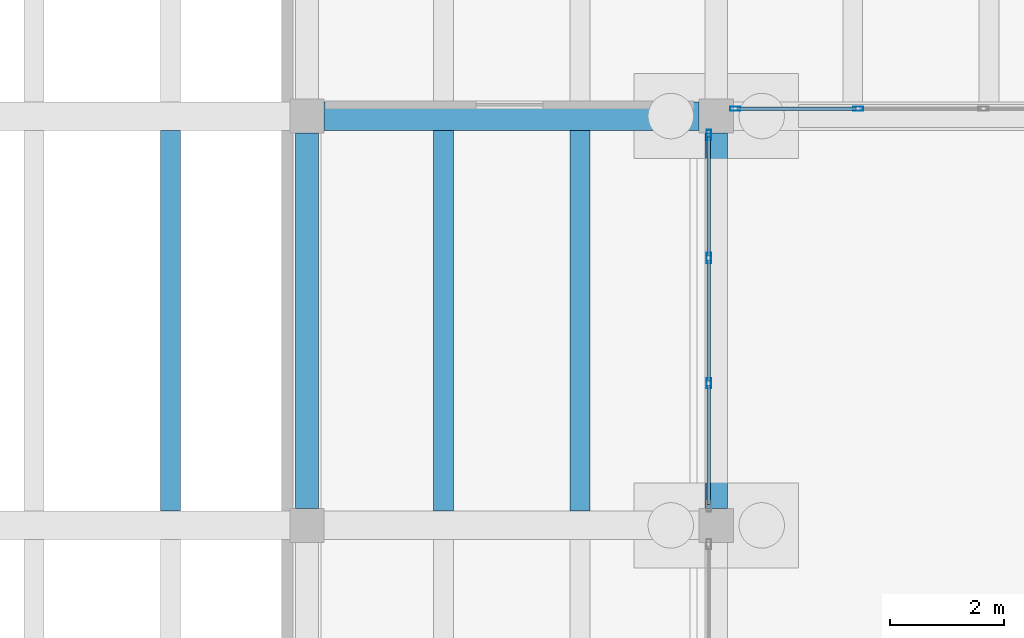
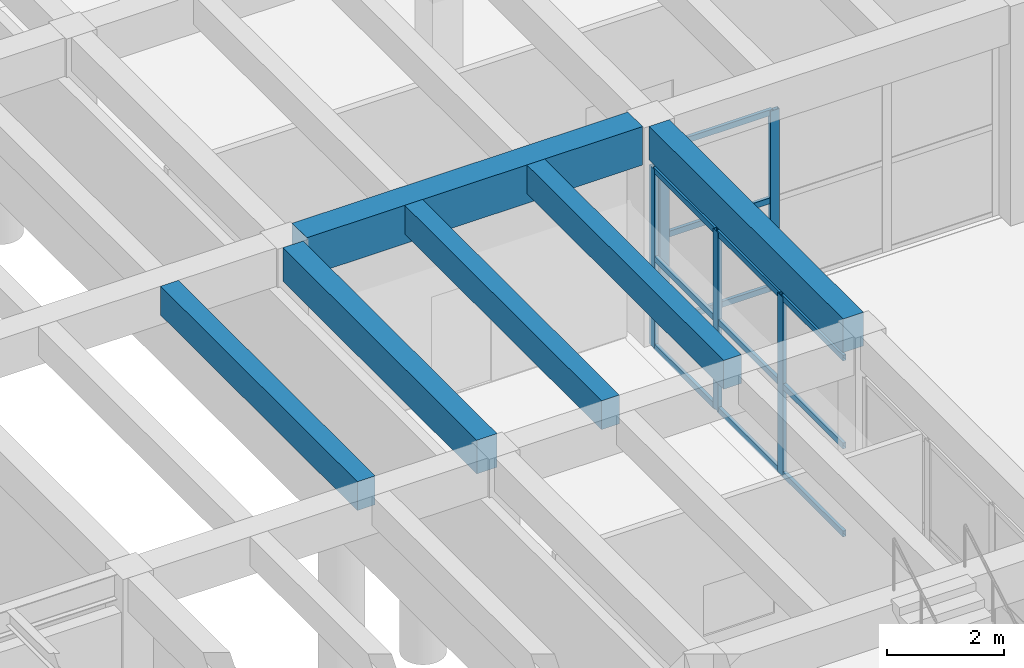
# One storey, part 33 of 155: 17 members, 6 beams, 2 elements without a shape of their own.
"""IFC4 building model written with IfcOpenShell, lengths in metres."""

from ifc_helpers import new_model, si_unit, direction, frame, origin, origin_2d, place, context, subcontext, project, spatial, rectangle, hollow_rectangle, extrude, material, material_profile, profile_set, type_object, element, aggregate, save


model = new_model("IFC4")

# Units and contexts
model_context = context("Model", 3, precision=1e-05, world=origin(), true_north=direction((0.0, 1.0)))
body_context = subcontext(model_context, "Body", "Model", "MODEL_VIEW")
ifc_project = project(units=[si_unit("LENGTHUNIT", "METRE"), si_unit("AREAUNIT", "SQUARE_METRE"), si_unit("VOLUMEUNIT", "CUBIC_METRE"), si_unit("PLANEANGLEUNIT", "RADIAN"), si_unit("MASSUNIT", "GRAM", prefix="KILO")], contexts=[model_context])

# Site, building, storey
site_placement = place(None, origin())
site = spatial("IfcSite", under=ifc_project, at=site_placement, CompositionType="ELEMENT")
building_placement = place(site_placement, origin())
building = spatial("IfcBuilding", under=site, at=building_placement, Name="Bramvelor Terrace Health Centre", CompositionType="ELEMENT")
storey_placement = place(building_placement, origin())
storey = spatial("IfcBuildingStorey", under=building, at=storey_placement, Name="L01", CompositionType="ELEMENT", Elevation=0.0)

# Beams
ifc_material_1 = material(Name="Concrete C40/50", Category="concrete")
ifc_material_profile_1 = material_profile(ifc_material_1, rectangle(XDim=0.39990234375, YDim=0.699951171875, at=origin_2d()), Name="RC 400x700")
ifc_profile_set_1 = profile_set([ifc_material_profile_1], Name="Concrete C40/50")
beam_type_1 = type_object("IfcBeamType", Name="BM-RC-G700", PredefinedType="BEAM", material=ifc_profile_set_1)
for number, where, z_axis, x_axis, name in (
    (1, (50.39990234375, 57.89990234375, 4.2099609375), (0.0, 1.0, 0.0), (-1.0, 0.0, 0.0), "L01 Floor Girder"),
    (2, (57.60009765625, 57.89990234375, 4.2099609375), (0.0, 1.0, 0.0), (-1.0, 0.0, 0.0), "L01 Floor Girder"),
):
    element("IfcBeam", number, at=place(storey_placement, frame(where, z_axis=z_axis, x_axis=x_axis)), inside=storey, type_object=beam_type_1, Name=name, PredefinedType="BEAM", context=body_context, shape_type="SweptSolid", body=[
        extrude(rectangle(XDim=0.39990234375, YDim=0.699951171875, at=origin_2d()), origin(), (0.0, 0.0, 1.0), 6.60009765625),
    ])
ifc_material_2 = material(Name="Concrete C40/50", Category="concrete")
ifc_material_profile_2 = material_profile(ifc_material_2, rectangle(XDim=0.5, YDim=0.800048828125, at=origin_2d()), Name="RC 500x800")
ifc_profile_set_2 = profile_set([ifc_material_profile_2], Name="Concrete C40/50")
beam_type_2 = type_object("IfcBeamType", Name="BM-RC-G800", PredefinedType="BEAM", material=ifc_profile_set_2)
beam_placement = place(storey_placement, frame((50.699951171875, 64.800048828125, 4.159912109375), z_axis=(1.0, 0.0, 0.0), x_axis=(0.0, 1.0, 0.0)))
element("IfcBeam", 3, at=beam_placement, inside=storey, type_object=beam_type_2, Name="L01 Floor Girder", PredefinedType="BEAM", context=body_context, shape_type="SweptSolid", body=[
    extrude(rectangle(XDim=0.5, YDim=0.800048828125, at=origin_2d()), origin(), (0.0, 0.0, 1.0), 6.60009765625),
])
ifc_material_3 = material(Name="Concrete C40/50", Category="concrete")
ifc_material_profile_3 = material_profile(ifc_material_3, rectangle(XDim=0.35009765625, YDim=0.60009765625, at=origin_2d()), Name="RC 350x600")
ifc_profile_set_3 = profile_set([ifc_material_profile_3], Name="Concrete C40/50")
beam_type_3 = type_object("IfcBeamType", Name="BM-RC-J600", PredefinedType="JOIST", material=ifc_profile_set_3)
for number, where, z_axis, x_axis, name in (
    (4, (48.0, 57.85009765625, 4.260009765625), (0.0, 1.0, 0.0), (-1.0, 0.0, 0.0), "L01 Secondary Floor Joist"),
    (5, (52.800048828125, 57.85009765625, 4.260009765625), (0.0, 1.0, 0.0), (-1.0, 0.0, 0.0), "L01 Secondary Floor Joist"),
    (6, (55.199951171875, 57.85009765625, 4.260009765625), (0.0, 1.0, 0.0), (-1.0, 0.0, 0.0), "L01 Secondary Floor Joist"),
):
    element("IfcBeam", number, at=place(storey_placement, frame(where, z_axis=z_axis, x_axis=x_axis)), inside=storey, type_object=beam_type_3, Name=name, PredefinedType="JOIST", context=body_context, shape_type="SweptSolid", body=[
        extrude(rectangle(XDim=0.35009765625, YDim=0.60009765625, at=origin_2d()), origin(), (0.0, 0.0, 1.0), 6.699951171875),
    ])

# Curtain wall, members
ifc_material_4 = material(Name="Anodized aluminium and double low-E glass", Category="aluminium")
curtain_wall_type = type_object("IfcCurtainWallType", Name="CW-SYS-02", PredefinedType="NOTDEFINED", material=ifc_material_4)
curtain_wall_1_placement = place(storey_placement, origin())
curtain_wall_1 = element("IfcCurtainWall", 7, at=curtain_wall_1_placement, inside=storey, type_object=curtain_wall_type, Name="L01 Unitized Curtain Wall 58", PredefinedType="NOTDEFINED")
ifc_material_5 = material(Name="Anodized aluminium 6063-T6", Category="aluminium")
ifc_material_profile_4 = material_profile(ifc_material_5, hollow_rectangle(XDim=0.074951171875, YDim=0.179931640625, WallThickness=0.00341796875, at=origin_2d()), Name="ALU-MUL 75x180x3.5")
ifc_profile_set_4 = profile_set([ifc_material_profile_4], Name="Anodized aluminium 6063-T6")
member_type_1 = type_object("IfcMemberType", Name="CW-MUL-65x180", PredefinedType="MULLION", material=ifc_profile_set_4)
member_1_placement = place(storey_placement, frame((57.469970703125, 64.467529296875, 0.0), z_axis=(0.0, 0.0, 1.0), x_axis=(1.0, 0.0, 0.0)))
member_1 = element("IfcMember", 8, at=member_1_placement, type_object=member_type_1, Name="CW-02 mullion 1", PredefinedType="MULLION", context=body_context, shape_type="SweptSolid", body=[
    extrude(hollow_rectangle(XDim=0.074951171875, YDim=0.179931640625, WallThickness=0.00341796875, at=origin_2d()), origin(), (0.0, 0.0, 1.0), 3.719970703125),
])
member_2_placement = place(storey_placement, frame((57.469970703125, 62.3017578125, 0.0), z_axis=(0.0, 0.0, 1.0), x_axis=(1.0, 0.0, 0.0)))
member_2 = element("IfcMember", 9, at=member_2_placement, type_object=member_type_1, Name="CW-02 mullion 2", PredefinedType="MULLION", context=body_context, shape_type="SweptSolid", body=[
    extrude(hollow_rectangle(XDim=0.074951171875, YDim=0.179931640625, WallThickness=0.00341796875, at=origin_2d()), origin(), (0.0, 0.0, 1.0), 3.719970703125),
])
member_3_placement = place(storey_placement, frame((57.469970703125, 60.098388671875, 0.0), z_axis=(0.0, 0.0, 1.0), x_axis=(1.0, 0.0, 0.0)))
member_3 = element("IfcMember", 10, at=member_3_placement, type_object=member_type_1, Name="CW-02 mullion 3", PredefinedType="MULLION", context=body_context, shape_type="SweptSolid", body=[
    extrude(hollow_rectangle(XDim=0.074951171875, YDim=0.179931640625, WallThickness=0.00341796875, at=origin_2d()), origin(), (0.0, 0.0, 1.0), 3.719970703125),
])

curtain_wall_2_placement = place(storey_placement, origin())
curtain_wall_2 = element("IfcCurtainWall", 11, at=curtain_wall_2_placement, inside=storey, type_object=curtain_wall_type, Name="L01 Unitized Curtain Wall 66", PredefinedType="NOTDEFINED")
member_4_placement = place(storey_placement, frame((60.098388671875, 64.929931640625, 0.0), z_axis=(0.0, 0.0, 1.0), x_axis=(0.0, -1.0, 0.0)))
member_4 = element("IfcMember", 12, at=member_4_placement, type_object=member_type_1, Name="CW-02 mullion 3", PredefinedType="MULLION", context=body_context, shape_type="SweptSolid", body=[
    extrude(hollow_rectangle(XDim=0.074951171875, YDim=0.179931640625, WallThickness=0.00341796875, at=origin_2d()), origin(), (0.0, 0.0, 1.0), 3.719970703125),
])
member_5_placement = place(storey_placement, frame((57.9326171875, 64.929931640625, 0.0), z_axis=(0.0, 0.0, 1.0), x_axis=(0.0, -1.0, 0.0)))
member_5 = element("IfcMember", 13, at=member_5_placement, type_object=member_type_1, Name="CW-02 mullion 4", PredefinedType="MULLION", context=body_context, shape_type="SweptSolid", body=[
    extrude(hollow_rectangle(XDim=0.074951171875, YDim=0.179931640625, WallThickness=0.00341796875, at=origin_2d()), origin(), (0.0, 0.0, 1.0), 3.719970703125),
])

# Member
ifc_material_6 = material(Name="Anodized aluminium 6063-T6", Category="aluminium")
ifc_material_profile_5 = material_profile(ifc_material_6, hollow_rectangle(XDim=0.06494140625, YDim=0.1201171875, WallThickness=0.0029296875, at=origin_2d()), Name="ALU-TRN 65x120x3.0")
ifc_profile_set_5 = profile_set([ifc_material_profile_5], Name="Anodized aluminium 6063-T6")
member_type_2 = type_object("IfcMemberType", Name="CW-TRN-65x150", PredefinedType="USERDEFINED", material=ifc_profile_set_5)
member_6_placement = place(storey_placement, frame((57.469970703125, 64.429931640625, 0.032470703125), z_axis=(0.0, -1.0, 0.0), x_axis=(1.0, 0.0, 0.0)))
member_6 = element("IfcMember", 14, at=member_6_placement, type_object=member_type_2, Name="CW-02 transom 1.1", ObjectType="TRANSOM", PredefinedType="USERDEFINED", context=body_context, shape_type="SweptSolid", body=[
    extrude(hollow_rectangle(XDim=0.06494140625, YDim=0.1201171875, WallThickness=0.0029296875, at=origin_2d()), origin(), (0.0, 0.0, 1.0), 2.0908203125),
])

member_7_placement = place(storey_placement, frame((57.469970703125, 64.429931640625, 1.860107421875), z_axis=(0.0, -1.0, 0.0), x_axis=(1.0, 0.0, 0.0)))
member_7 = element("IfcMember", 15, at=member_7_placement, type_object=member_type_2, Name="CW-02 transom 1.2", ObjectType="TRANSOM", PredefinedType="USERDEFINED", context=body_context, shape_type="SweptSolid", body=[
    extrude(hollow_rectangle(XDim=0.06494140625, YDim=0.1201171875, WallThickness=0.0029296875, at=origin_2d()), origin(), (0.0, 0.0, 1.0), 2.0908203125),
])

member_8_placement = place(storey_placement, frame((57.469970703125, 64.429931640625, 3.6875), z_axis=(0.0, -1.0, 0.0), x_axis=(1.0, 0.0, 0.0)))
member_8 = element("IfcMember", 16, at=member_8_placement, type_object=member_type_2, Name="CW-02 transom 1.3", ObjectType="TRANSOM", PredefinedType="USERDEFINED", context=body_context, shape_type="SweptSolid", body=[
    extrude(hollow_rectangle(XDim=0.06494140625, YDim=0.1201171875, WallThickness=0.0029296875, at=origin_2d()), origin(), (0.0, 0.0, 1.0), 2.0908203125),
])

member_9_placement = place(storey_placement, frame((57.469970703125, 62.26416015625, 0.032470703125), z_axis=(0.0, -1.0, 0.0), x_axis=(1.0, 0.0, 0.0)))
member_9 = element("IfcMember", 17, at=member_9_placement, type_object=member_type_2, Name="CW-02 transom 2.1", ObjectType="TRANSOM", PredefinedType="USERDEFINED", context=body_context, shape_type="SweptSolid", body=[
    extrude(hollow_rectangle(XDim=0.06494140625, YDim=0.1201171875, WallThickness=0.0029296875, at=origin_2d()), origin(), (0.0, 0.0, 1.0), 2.12841796875),
])

member_10_placement = place(storey_placement, frame((57.469970703125, 62.26416015625, 1.860107421875), z_axis=(0.0, -1.0, 0.0), x_axis=(1.0, 0.0, 0.0)))
member_10 = element("IfcMember", 18, at=member_10_placement, type_object=member_type_2, Name="CW-02 transom 2.2", ObjectType="TRANSOM", PredefinedType="USERDEFINED", context=body_context, shape_type="SweptSolid", body=[
    extrude(hollow_rectangle(XDim=0.06494140625, YDim=0.1201171875, WallThickness=0.0029296875, at=origin_2d()), origin(), (0.0, 0.0, 1.0), 2.12841796875),
])

member_11_placement = place(storey_placement, frame((57.469970703125, 62.26416015625, 3.6875), z_axis=(0.0, -1.0, 0.0), x_axis=(1.0, 0.0, 0.0)))
member_11 = element("IfcMember", 19, at=member_11_placement, type_object=member_type_2, Name="CW-02 transom 2.3", ObjectType="TRANSOM", PredefinedType="USERDEFINED", context=body_context, shape_type="SweptSolid", body=[
    extrude(hollow_rectangle(XDim=0.06494140625, YDim=0.1201171875, WallThickness=0.0029296875, at=origin_2d()), origin(), (0.0, 0.0, 1.0), 2.12841796875),
])

member_12_placement = place(storey_placement, frame((57.469970703125, 60.060791015625, 0.032470703125), z_axis=(0.0, -1.0, 0.0), x_axis=(1.0, 0.0, 0.0)))
member_12 = element("IfcMember", 20, at=member_12_placement, type_object=member_type_2, Name="CW-02 transom 3.1", ObjectType="TRANSOM", PredefinedType="USERDEFINED", context=body_context, shape_type="SweptSolid", body=[
    extrude(hollow_rectangle(XDim=0.06494140625, YDim=0.1201171875, WallThickness=0.0029296875, at=origin_2d()), origin(), (0.0, 0.0, 1.0), 2.0908203125),
])

member_13_placement = place(storey_placement, frame((57.469970703125, 60.060791015625, 1.860107421875), z_axis=(0.0, -1.0, 0.0), x_axis=(1.0, 0.0, 0.0)))
member_13 = element("IfcMember", 21, at=member_13_placement, type_object=member_type_2, Name="CW-02 transom 3.2", ObjectType="TRANSOM", PredefinedType="USERDEFINED", context=body_context, shape_type="SweptSolid", body=[
    extrude(hollow_rectangle(XDim=0.06494140625, YDim=0.1201171875, WallThickness=0.0029296875, at=origin_2d()), origin(), (0.0, 0.0, 1.0), 2.0908203125),
])

member_14_placement = place(storey_placement, frame((57.469970703125, 60.060791015625, 3.6875), z_axis=(0.0, -1.0, 0.0), x_axis=(1.0, 0.0, 0.0)))
member_14 = element("IfcMember", 22, at=member_14_placement, type_object=member_type_2, Name="CW-02 transom 3.3", ObjectType="TRANSOM", PredefinedType="USERDEFINED", context=body_context, shape_type="SweptSolid", body=[
    extrude(hollow_rectangle(XDim=0.06494140625, YDim=0.1201171875, WallThickness=0.0029296875, at=origin_2d()), origin(), (0.0, 0.0, 1.0), 2.0908203125),
])

aggregate(curtain_wall_1, [member_1, member_2, member_3, member_6, member_7, member_8, member_9, member_10, member_11, member_12, member_13, member_14])

member_15_placement = place(storey_placement, frame((60.060791015625, 64.929931640625, 0.032470703125), z_axis=(-1.0, 0.0, 0.0), x_axis=(0.0, -1.0, 0.0)))
member_15 = element("IfcMember", 23, at=member_15_placement, type_object=member_type_2, Name="CW-02 transom 3.1", ObjectType="TRANSOM", PredefinedType="USERDEFINED", context=body_context, shape_type="SweptSolid", body=[
    extrude(hollow_rectangle(XDim=0.06494140625, YDim=0.1201171875, WallThickness=0.0029296875, at=origin_2d()), origin(), (0.0, 0.0, 1.0), 2.0908203125),
])

member_16_placement = place(storey_placement, frame((60.060791015625, 64.929931640625, 1.860107421875), z_axis=(-1.0, 0.0, 0.0), x_axis=(0.0, -1.0, 0.0)))
member_16 = element("IfcMember", 24, at=member_16_placement, type_object=member_type_2, Name="CW-02 transom 3.2", ObjectType="TRANSOM", PredefinedType="USERDEFINED", context=body_context, shape_type="SweptSolid", body=[
    extrude(hollow_rectangle(XDim=0.06494140625, YDim=0.1201171875, WallThickness=0.0029296875, at=origin_2d()), origin(), (0.0, 0.0, 1.0), 2.0908203125),
])

member_17_placement = place(storey_placement, frame((60.060791015625, 64.929931640625, 3.6875), z_axis=(-1.0, 0.0, 0.0), x_axis=(0.0, -1.0, 0.0)))
member_17 = element("IfcMember", 25, at=member_17_placement, type_object=member_type_2, Name="CW-02 transom 3.3", ObjectType="TRANSOM", PredefinedType="USERDEFINED", context=body_context, shape_type="SweptSolid", body=[
    extrude(hollow_rectangle(XDim=0.06494140625, YDim=0.1201171875, WallThickness=0.0029296875, at=origin_2d()), origin(), (0.0, 0.0, 1.0), 2.0908203125),
])

aggregate(curtain_wall_2, [member_4, member_5, member_15, member_16, member_17])

save(model, "model.ifc")
